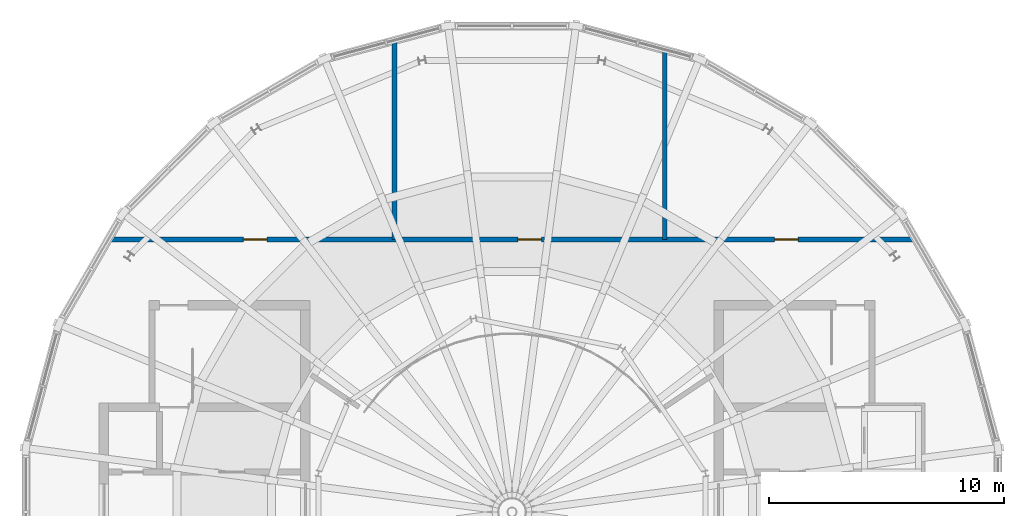
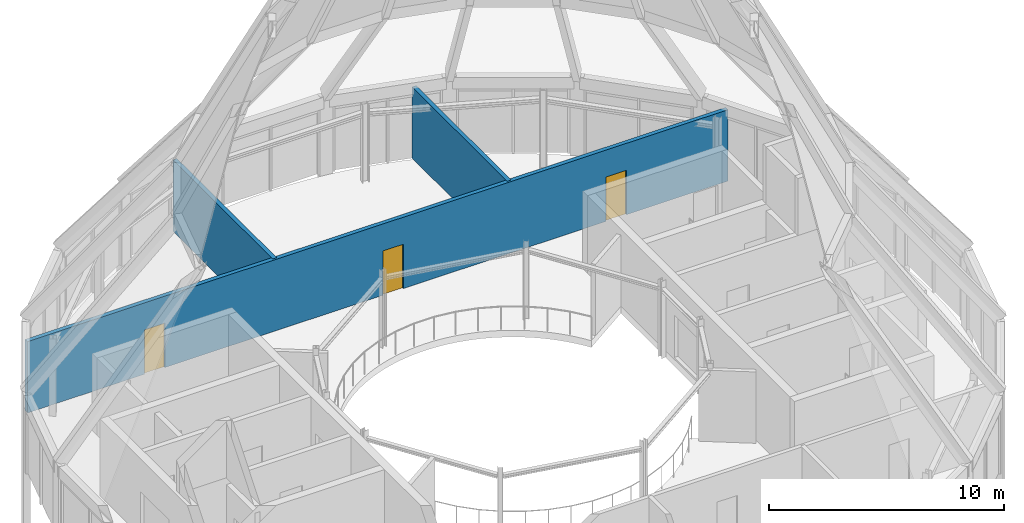
# One storey, part 15 of 16: 3 doors, 3 walls, 3 openings.
"""IFC4 building model written with IfcOpenShell, lengths in metres."""

from ifc_helpers import new_model, si_unit, direction, frame, frame_2d, origin, place, context, subcontext, project, spatial, rectangle, extrude, material, layer, layer_set, type_object, element, fill, save


model = new_model("IFC4")

# Units and contexts
model_context = context("Model", 3, precision=1e-05, world=origin(), true_north=direction((0.0, 1.0)))
body_context = subcontext(model_context, "Body", "Model", "MODEL_VIEW")
ifc_project = project(units=[si_unit("LENGTHUNIT", "METRE"), si_unit("AREAUNIT", "SQUARE_METRE"), si_unit("VOLUMEUNIT", "CUBIC_METRE"), si_unit("PLANEANGLEUNIT", "RADIAN"), si_unit("MASSUNIT", "GRAM", prefix="KILO")], contexts=[model_context])

# Site, building, storey
site_placement = place(None, origin())
site = spatial("IfcSite", under=ifc_project, at=site_placement, CompositionType="ELEMENT")
building_placement = place(site_placement, origin())
building = spatial("IfcBuilding", under=site, at=building_placement, Name="Maasbend Ring Residences", CompositionType="ELEMENT")
storey_placement = place(building_placement, frame((0.0, 0.0, 269.5)))
storey = spatial("IfcBuildingStorey", under=building, at=storey_placement, Name="L77", CompositionType="ELEMENT", Elevation=269.5)

# Walls
ifc_material_1 = material(Name="Concrete C30/37", Category="concrete")
ifc_layer = layer(ifc_material_1, 0.199951171875)
ifc_layer_set = layer_set([ifc_layer], Name="Concrete C30/37")
wall_type = type_object("IfcWallType", Name="COMPARTMENT WALL 200 CONCRETE", PredefinedType="PARTITIONING", material=ifc_layer_set)
wall_1_placement = place(storey_placement, frame((6.5, 11.60009765625, 0.0), z_axis=(0.0, 0.0, 1.0), x_axis=(0.0, 1.0, 0.0)))
element("IfcWall", 1, at=wall_1_placement, inside=storey, type_object=wall_type, Name="U-L77-w005", PredefinedType="PARTITIONING", context=body_context, shape_type="SweptSolid", body=[
    extrude(rectangle(XDim=8.074951171875, YDim=0.199951171875, at=frame_2d((4.03759765625, 0.0))), origin(), (0.0, 0.0, 1.0), 3.699951171875),
])
wall_2_placement = place(storey_placement, frame((-5.0, 11.60009765625, 0.0), z_axis=(0.0, 0.0, 1.0), x_axis=(0.0, 1.0, 0.0)))
element("IfcWall", 2, at=wall_2_placement, inside=storey, type_object=wall_type, Name="U-L77-w011", PredefinedType="PARTITIONING", context=body_context, shape_type="SweptSolid", body=[
    extrude(rectangle(XDim=8.476806640625, YDim=0.199951171875, at=frame_2d((4.23828125, 0.0))), origin(), (0.0, 0.0, 1.0), 3.699951171875),
])

# Wall, openings, doors
wall_3_placement = place(storey_placement, frame((-17.177001953125, 11.60009765625, 0.0), z_axis=(0.0, 0.0, 1.0), x_axis=(1.0, 0.0, 0.0)))
wall_3 = element("IfcWall", 3, at=wall_3_placement, inside=storey, type_object=wall_type, Name="U-L77-w012", PredefinedType="PARTITIONING", context=body_context, shape_type="SweptSolid", body=[
    extrude(rectangle(XDim=34.35400390625, YDim=0.199951171875, at=frame_2d((17.177001953125, 0.0))), origin(), (0.0, 0.0, 1.0), 3.699951171875),
])
opening_1_placement = place(wall_3_placement, frame((5.740966796875, 0.0, 0.0)))
opening_1 = element("IfcOpeningElement", 4, at=opening_1_placement, cuts=wall_3, Name="Opening D-7701", PredefinedType="OPENING", context=body_context, shape_type="SweptSolid", body=[
    extrude(rectangle(XDim=1.0, YDim=2.300048828125, at=frame_2d((0.5, 1.14990234375))), frame((0.0, 0.10986328125, 0.0), z_axis=(0.0, -1.0, 0.0), x_axis=(1.0, 0.0, 0.0)), (0.0, 0.0, 1.0), 0.219970703125),
])
opening_2_placement = place(wall_3_placement, frame((17.427001953125, 0.0, 0.0)))
opening_2 = element("IfcOpeningElement", 5, at=opening_2_placement, cuts=wall_3, Name="Opening D-7702", PredefinedType="OPENING", context=body_context, shape_type="SweptSolid", body=[
    extrude(rectangle(XDim=1.0, YDim=2.300048828125, at=frame_2d((0.5, 1.14990234375))), frame((0.0, 0.10986328125, 0.0), z_axis=(0.0, -1.0, 0.0), x_axis=(1.0, 0.0, 0.0)), (0.0, 0.0, 1.0), 0.219970703125),
])
opening_3_placement = place(wall_3_placement, frame((28.363037109375, 0.0, 0.0)))
opening_3 = element("IfcOpeningElement", 6, at=opening_3_placement, cuts=wall_3, Name="Opening D-7703", PredefinedType="OPENING", context=body_context, shape_type="SweptSolid", body=[
    extrude(rectangle(XDim=1.0, YDim=2.300048828125, at=frame_2d((0.5, 1.14990234375))), frame((0.0, 0.10986328125, 0.0), z_axis=(0.0, -1.0, 0.0), x_axis=(1.0, 0.0, 0.0)), (0.0, 0.0, 1.0), 0.219970703125),
])
ifc_material_2 = material(Name="Steel, fire-rated, painted", Category="steel")
door_type = type_object("IfcDoorType", Name="PLANT DOOR 1000 X 2300 FIRE-RATED", OperationType="NOTDEFINED", PredefinedType="DOOR", material=ifc_material_2)
door_1_placement = place(opening_1_placement, origin())
door_1 = element("IfcDoor", 7, at=door_1_placement, inside=storey, type_object=door_type, Name="D-7701", OperationType="SINGLE_SWING_LEFT", OverallHeight=2.300048828125, OverallWidth=1.0, PredefinedType="DOOR", context=body_context, shape_type="SweptSolid", body=[
    extrude(rectangle(XDim=1.0, YDim=2.300048828125, at=frame_2d((0.5, 1.14990234375))), frame((0.0, 0.02490234375, 0.0), z_axis=(0.0, -1.0, 0.0), x_axis=(1.0, 0.0, 0.0)), (0.0, 0.0, 1.0), 0.050048828125),
])
fill(opening_1, door_1)
door_2_placement = place(opening_2_placement, origin())
door_2 = element("IfcDoor", 8, at=door_2_placement, inside=storey, type_object=door_type, Name="D-7702", OperationType="SINGLE_SWING_RIGHT", OverallHeight=2.300048828125, OverallWidth=1.0, PredefinedType="DOOR", context=body_context, shape_type="SweptSolid", body=[
    extrude(rectangle(XDim=1.0, YDim=2.300048828125, at=frame_2d((0.5, 1.14990234375))), frame((0.0, 0.02490234375, 0.0), z_axis=(0.0, -1.0, 0.0), x_axis=(1.0, 0.0, 0.0)), (0.0, 0.0, 1.0), 0.050048828125),
])
fill(opening_2, door_2)
door_3_placement = place(opening_3_placement, origin())
door_3 = element("IfcDoor", 9, at=door_3_placement, inside=storey, type_object=door_type, Name="D-7703", OperationType="SINGLE_SWING_RIGHT", OverallHeight=2.300048828125, OverallWidth=1.0, PredefinedType="DOOR", context=body_context, shape_type="SweptSolid", body=[
    extrude(rectangle(XDim=1.0, YDim=2.300048828125, at=frame_2d((0.5, 1.14990234375))), frame((0.0, 0.02490234375, 0.0), z_axis=(0.0, -1.0, 0.0), x_axis=(1.0, 0.0, 0.0)), (0.0, 0.0, 1.0), 0.050048828125),
])
fill(opening_3, door_3)

save(model, "model.ifc")
